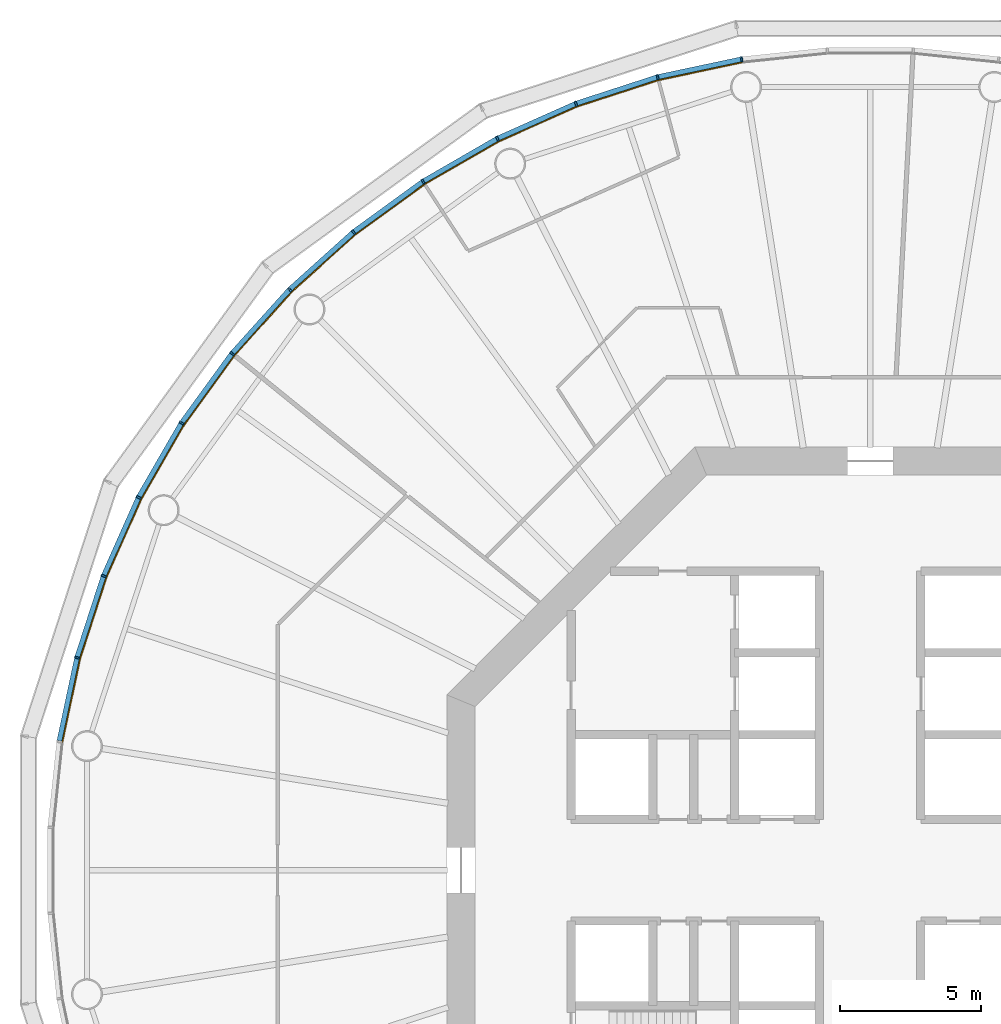
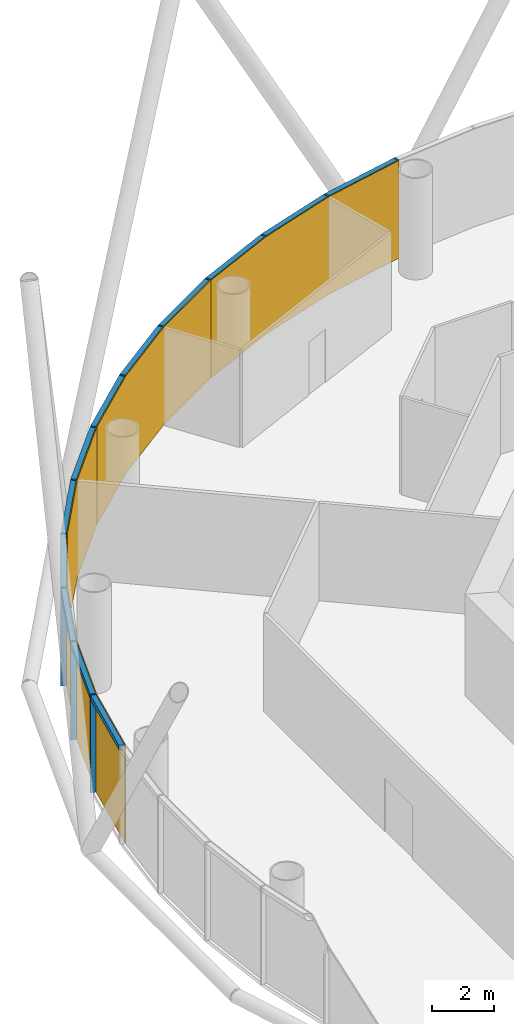
# One storey, part 10 of 13: 24 members, 4 curtain walls.
"""IFC4 building model written with IfcOpenShell, lengths in metres."""

from ifc_helpers import new_model, si_unit, direction, frame, origin, origin_2d, place, context, subcontext, project, spatial, polyline, rectangle, outline, extrude, material, layer, layer_set, material_profile, profile_set, type_object, element, aggregate, save


model = new_model("IFC4")

# Units and contexts
model_context = context("Model", 3, precision=1e-05, world=origin(), true_north=direction((0.0, 1.0)))
body_context = subcontext(model_context, "Body", "Model", "MODEL_VIEW")
ifc_project = project(units=[si_unit("LENGTHUNIT", "METRE"), si_unit("AREAUNIT", "SQUARE_METRE"), si_unit("VOLUMEUNIT", "CUBIC_METRE"), si_unit("PLANEANGLEUNIT", "RADIAN"), si_unit("MASSUNIT", "GRAM", prefix="KILO")], contexts=[model_context])

# Member
ifc_material_1 = material(Name="Anodised aluminium", Category="aluminium")
ifc_material_profile_1 = material_profile(ifc_material_1, rectangle(XDim=0.06494140625, YDim=0.18505859375, at=origin_2d()), Name="Mullion 65 x 185 mm anodised aluminium")
ifc_profile_set_1 = profile_set([ifc_material_profile_1], Name="Anodised aluminium")
member_type_1 = type_object("IfcMemberType", Name="Mullion 65 x 185 mm anodised aluminium", PredefinedType="MULLION", material=ifc_profile_set_1)
site_placement = place(None, origin())
building_placement = place(site_placement, origin())
storey_placement = place(building_placement, frame((0.0, 0.0, 164.0)))
member_1_placement = place(storey_placement, frame((85.448974609375, 108.734375, 0.0), z_axis=(0.0, 0.0, 1.0), x_axis=(-0.987688340595, -0.15643446504, 0.0)))
member_1 = element("IfcMember", 1, at=member_1_placement, type_object=member_type_1, Name="MULLION L37-15", PredefinedType="MULLION", context=body_context, shape_type="SweptSolid", body=[
    extrude(rectangle(XDim=0.06494140625, YDim=0.18505859375, at=origin_2d()), origin(), (0.0, 0.0, 1.0), 3.85009765625),
])

member_2_placement = place(storey_placement, frame((82.47021484375, 108.101318359375, 0.0), z_axis=(0.0, 0.0, 1.0), x_axis=(-0.965925826289, -0.258819045103, 0.0)))
member_2 = element("IfcMember", 2, at=member_2_placement, type_object=member_type_1, Name="MULLION L37-16", PredefinedType="MULLION", context=body_context, shape_type="SweptSolid", body=[
    extrude(rectangle(XDim=0.06494140625, YDim=0.18505859375, at=origin_2d()), origin(), (0.0, 0.0, 1.0), 3.85009765625),
])

member_3_placement = place(storey_placement, frame((79.57421875, 107.16015625, 0.0), z_axis=(0.0, 0.0, 1.0), x_axis=(-0.933580426497, -0.358367949545, 0.0)))
member_3 = element("IfcMember", 3, at=member_3_placement, type_object=member_type_1, Name="MULLION L37-17", PredefinedType="MULLION", context=body_context, shape_type="SweptSolid", body=[
    extrude(rectangle(XDim=0.06494140625, YDim=0.18505859375, at=origin_2d()), origin(), (0.0, 0.0, 1.0), 3.85009765625),
])

member_4_placement = place(storey_placement, frame((76.792236328125, 105.921630859375, 0.0), z_axis=(0.0, 0.0, 1.0), x_axis=(-0.891006524188, -0.45399049974, 0.0)))
member_4 = element("IfcMember", 4, at=member_4_placement, type_object=member_type_1, Name="MULLION L37-18", PredefinedType="MULLION", context=body_context, shape_type="SweptSolid", body=[
    extrude(rectangle(XDim=0.06494140625, YDim=0.18505859375, at=origin_2d()), origin(), (0.0, 0.0, 1.0), 3.85009765625),
])

member_5_placement = place(storey_placement, frame((74.155029296875, 104.39892578125, 0.0), z_axis=(0.0, 0.0, 1.0), x_axis=(-0.838670567945, -0.544639035015, 0.0)))
member_5 = element("IfcMember", 5, at=member_5_placement, type_object=member_type_1, Name="MULLION L37-19", PredefinedType="MULLION", context=body_context, shape_type="SweptSolid", body=[
    extrude(rectangle(XDim=0.06494140625, YDim=0.18505859375, at=origin_2d()), origin(), (0.0, 0.0, 1.0), 3.85009765625),
])

member_6_placement = place(storey_placement, frame((71.69140625, 102.609130859375, 0.0), z_axis=(0.0, 0.0, 1.0), x_axis=(-0.777145961457, -0.62932039105, 0.0)))
member_6 = element("IfcMember", 6, at=member_6_placement, type_object=member_type_1, Name="MULLION L37-20", PredefinedType="MULLION", context=body_context, shape_type="SweptSolid", body=[
    extrude(rectangle(XDim=0.06494140625, YDim=0.18505859375, at=origin_2d()), origin(), (0.0, 0.0, 1.0), 3.85009765625),
])

member_7_placement = place(storey_placement, frame((69.428466796875, 100.571533203125, 0.0), z_axis=(0.0, 0.0, 1.0), x_axis=(-0.707106781187, -0.707106781187, 0.0)))
member_7 = element("IfcMember", 7, at=member_7_placement, type_object=member_type_1, Name="MULLION L37-21", PredefinedType="MULLION", context=body_context, shape_type="SweptSolid", body=[
    extrude(rectangle(XDim=0.06494140625, YDim=0.18505859375, at=origin_2d()), origin(), (0.0, 0.0, 1.0), 3.85009765625),
])

member_8_placement = place(storey_placement, frame((67.390869140625, 98.30859375, 0.0), z_axis=(0.0, 0.0, 1.0), x_axis=(-0.62932039105, -0.777145961457, 0.0)))
member_8 = element("IfcMember", 8, at=member_8_placement, type_object=member_type_1, Name="MULLION L37-22", PredefinedType="MULLION", context=body_context, shape_type="SweptSolid", body=[
    extrude(rectangle(XDim=0.06494140625, YDim=0.18505859375, at=origin_2d()), origin(), (0.0, 0.0, 1.0), 3.85009765625),
])

member_9_placement = place(storey_placement, frame((65.60107421875, 95.844970703125, 0.0), z_axis=(0.0, 0.0, 1.0), x_axis=(-0.544639035015, -0.838670567945, 0.0)))
member_9 = element("IfcMember", 9, at=member_9_placement, type_object=member_type_1, Name="MULLION L37-23", PredefinedType="MULLION", context=body_context, shape_type="SweptSolid", body=[
    extrude(rectangle(XDim=0.06494140625, YDim=0.18505859375, at=origin_2d()), origin(), (0.0, 0.0, 1.0), 3.85009765625),
])

member_10_placement = place(storey_placement, frame((64.078369140625, 93.207763671875, 0.0), z_axis=(0.0, 0.0, 1.0), x_axis=(-0.45399049974, -0.891006524188, 0.0)))
member_10 = element("IfcMember", 10, at=member_10_placement, type_object=member_type_1, Name="MULLION L37-24", PredefinedType="MULLION", context=body_context, shape_type="SweptSolid", body=[
    extrude(rectangle(XDim=0.06494140625, YDim=0.18505859375, at=origin_2d()), origin(), (0.0, 0.0, 1.0), 3.85009765625),
])

member_11_placement = place(storey_placement, frame((62.83984375, 90.42578125, 0.0), z_axis=(0.0, 0.0, 1.0), x_axis=(-0.358367949545, -0.933580426497, 0.0)))
member_11 = element("IfcMember", 11, at=member_11_placement, type_object=member_type_1, Name="MULLION L37-25", PredefinedType="MULLION", context=body_context, shape_type="SweptSolid", body=[
    extrude(rectangle(XDim=0.06494140625, YDim=0.18505859375, at=origin_2d()), origin(), (0.0, 0.0, 1.0), 3.85009765625),
])

member_12_placement = place(storey_placement, frame((61.898681640625, 87.52978515625, 0.0), z_axis=(0.0, 0.0, 1.0), x_axis=(-0.258819045103, -0.965925826289, 0.0)))
member_12 = element("IfcMember", 12, at=member_12_placement, type_object=member_type_1, Name="MULLION L37-26", PredefinedType="MULLION", context=body_context, shape_type="SweptSolid", body=[
    extrude(rectangle(XDim=0.06494140625, YDim=0.18505859375, at=origin_2d()), origin(), (0.0, 0.0, 1.0), 3.85009765625),
])

ifc_material_2 = material(Name="Anodised aluminium", Category="aluminium")
ifc_material_profile_2 = material_profile(ifc_material_2, rectangle(XDim=0.18505859375, YDim=0.175048828125, at=origin_2d()), Name="Transom 175 x 185 mm anodised aluminium")
ifc_profile_set_2 = profile_set([ifc_material_profile_2], Name="Anodised aluminium")
member_type_2 = type_object("IfcMemberType", Name="Transom 175 x 185 mm anodised aluminium", PredefinedType="USERDEFINED", material=ifc_profile_set_2)
member_13_placement = place(storey_placement, frame((85.412353515625, 108.7265625, 3.762451171875), z_axis=(-0.97815822425, -0.207861704825, 0.0), x_axis=(0.207861704825, -0.97815822425, 0.0)))
member_13 = element("IfcMember", 13, at=member_13_placement, type_object=member_type_2, Name="TRANSOM L37-15", ObjectType="TRANSOM", PredefinedType="USERDEFINED", context=body_context, shape_type="SweptSolid", body=[
    extrude(rectangle(XDim=0.18505859375, YDim=0.175048828125, at=origin_2d()), origin(), (0.0, 0.0, 1.0), 2.970458984375),
])

member_14_placement = place(storey_placement, frame((82.434814453125, 108.08984375, 3.762451171875), z_axis=(-0.951055809184, -0.30901917063, 0.0), x_axis=(0.30901917063, -0.951055809184, 0.0)))
member_14 = element("IfcMember", 14, at=member_14_placement, type_object=member_type_2, Name="TRANSOM L37-16", ObjectType="TRANSOM", PredefinedType="USERDEFINED", context=body_context, shape_type="SweptSolid", body=[
    extrude(rectangle(XDim=0.18505859375, YDim=0.175048828125, at=origin_2d()), origin(), (0.0, 0.0, 1.0), 2.970703125),
])

member_15_placement = place(storey_placement, frame((79.5400390625, 107.14501953125, 3.762451171875), z_axis=(-0.913567348806, -0.406687471156, 0.0), x_axis=(0.406687471156, -0.913567348806, 0.0)))
member_15 = element("IfcMember", 15, at=member_15_placement, type_object=member_type_2, Name="TRANSOM L37-17", ObjectType="TRANSOM", PredefinedType="USERDEFINED", context=body_context, shape_type="SweptSolid", body=[
    extrude(rectangle(XDim=0.18505859375, YDim=0.175048828125, at=origin_2d()), origin(), (0.0, 0.0, 1.0), 2.970458984375),
])

member_16_placement = place(storey_placement, frame((76.759765625, 105.903076171875, 3.762451171875), z_axis=(-0.866009025146, -0.500028367561, 0.0), x_axis=(0.500028367561, -0.866009025146, 0.0)))
member_16 = element("IfcMember", 16, at=member_16_placement, type_object=member_type_2, Name="TRANSOM L37-18", ObjectType="TRANSOM", PredefinedType="USERDEFINED", context=body_context, shape_type="SweptSolid", body=[
    extrude(rectangle(XDim=0.18505859375, YDim=0.175048828125, at=origin_2d()), origin(), (0.0, 0.0, 1.0), 2.970458984375),
])

member_17_placement = place(storey_placement, frame((74.124755859375, 104.377197265625, 3.762451171875), z_axis=(-0.808991906087, -0.587819781808, 0.0), x_axis=(0.587819781808, -0.808991906087, 0.0)))
member_17 = element("IfcMember", 17, at=member_17_placement, type_object=member_type_2, Name="TRANSOM L37-19", ObjectType="TRANSOM", PredefinedType="USERDEFINED", context=body_context, shape_type="SweptSolid", body=[
    extrude(rectangle(XDim=0.18505859375, YDim=0.175048828125, at=origin_2d()), origin(), (0.0, 0.0, 1.0), 2.970458984375),
])

member_18_placement = place(storey_placement, frame((71.66357421875, 102.584228515625, 3.762451171875), z_axis=(-0.743163354343, -0.669110027395, 0.0), x_axis=(0.669110027395, -0.743163354343, 0.0)))
member_18 = element("IfcMember", 18, at=member_18_placement, type_object=member_type_2, Name="TRANSOM L37-20", ObjectType="TRANSOM", PredefinedType="USERDEFINED", context=body_context, shape_type="SweptSolid", body=[
    extrude(rectangle(XDim=0.18505859375, YDim=0.175048828125, at=origin_2d()), origin(), (0.0, 0.0, 1.0), 2.970458984375),
])

member_19_placement = place(storey_placement, frame((69.4033203125, 100.5439453125, 3.762451171875), z_axis=(-0.669110027395, -0.743163354343, 0.0), x_axis=(0.743163354343, -0.669110027395, 0.0)))
member_19 = element("IfcMember", 19, at=member_19_placement, type_object=member_type_2, Name="TRANSOM L37-21", ObjectType="TRANSOM", PredefinedType="USERDEFINED", context=body_context, shape_type="SweptSolid", body=[
    extrude(rectangle(XDim=0.18505859375, YDim=0.175048828125, at=origin_2d()), origin(), (0.0, 0.0, 1.0), 2.970458984375),
])

member_20_placement = place(storey_placement, frame((67.368896484375, 98.2783203125, 3.762451171875), z_axis=(-0.587819781808, -0.808991906087, 0.0), x_axis=(0.808991906087, -0.587819781808, 0.0)))
member_20 = element("IfcMember", 20, at=member_20_placement, type_object=member_type_2, Name="TRANSOM L37-22", ObjectType="TRANSOM", PredefinedType="USERDEFINED", context=body_context, shape_type="SweptSolid", body=[
    extrude(rectangle(XDim=0.18505859375, YDim=0.175048828125, at=origin_2d()), origin(), (0.0, 0.0, 1.0), 2.970458984375),
])

member_21_placement = place(storey_placement, frame((65.582275390625, 95.812744140625, 3.762451171875), z_axis=(-0.500028367561, -0.866009025146, 0.0), x_axis=(0.866009025146, -0.500028367561, 0.0)))
member_21 = element("IfcMember", 21, at=member_21_placement, type_object=member_type_2, Name="TRANSOM L37-23", ObjectType="TRANSOM", PredefinedType="USERDEFINED", context=body_context, shape_type="SweptSolid", body=[
    extrude(rectangle(XDim=0.18505859375, YDim=0.175048828125, at=origin_2d()), origin(), (0.0, 0.0, 1.0), 2.970458984375),
])

member_22_placement = place(storey_placement, frame((64.06298828125, 93.173583984375, 3.762451171875), z_axis=(-0.406687471156, -0.913567348806, 0.0), x_axis=(0.913567348806, -0.406687471156, 0.0)))
member_22 = element("IfcMember", 22, at=member_22_placement, type_object=member_type_2, Name="TRANSOM L37-24", ObjectType="TRANSOM", PredefinedType="USERDEFINED", context=body_context, shape_type="SweptSolid", body=[
    extrude(rectangle(XDim=0.18505859375, YDim=0.175048828125, at=origin_2d()), origin(), (0.0, 0.0, 1.0), 2.970458984375),
])

member_23_placement = place(storey_placement, frame((62.828125, 90.390380859375, 3.762451171875), z_axis=(-0.30901917063, -0.951055809184, 0.0), x_axis=(0.951055809184, -0.30901917063, 0.0)))
member_23 = element("IfcMember", 23, at=member_23_placement, type_object=member_type_2, Name="TRANSOM L37-25", ObjectType="TRANSOM", PredefinedType="USERDEFINED", context=body_context, shape_type="SweptSolid", body=[
    extrude(rectangle(XDim=0.18505859375, YDim=0.175048828125, at=origin_2d()), origin(), (0.0, 0.0, 1.0), 2.970703125),
])

member_24_placement = place(storey_placement, frame((61.890869140625, 87.4931640625, 3.762451171875), z_axis=(-0.207861704825, -0.97815822425, 0.0), x_axis=(0.97815822425, -0.207861704825, 0.0)))
member_24 = element("IfcMember", 24, at=member_24_placement, type_object=member_type_2, Name="TRANSOM L37-26", ObjectType="TRANSOM", PredefinedType="USERDEFINED", context=body_context, shape_type="SweptSolid", body=[
    extrude(rectangle(XDim=0.18505859375, YDim=0.175048828125, at=origin_2d()), origin(), (0.0, 0.0, 1.0), 2.970458984375),
])

# Site, building, storey
site = spatial("IfcSite", under=ifc_project, at=site_placement, CompositionType="ELEMENT")
building = spatial("IfcBuilding", under=site, at=building_placement, Name="Entoto Ring Tower", CompositionType="ELEMENT")
storey = spatial("IfcBuildingStorey", under=building, at=storey_placement, Name="L37", CompositionType="ELEMENT", Elevation=164.0)

# Curtain wall
ifc_material_3 = material(Name="Clear low-iron glass", Category="glass")
ifc_layer = layer(ifc_material_3, 0.033935546875)
ifc_layer_set = layer_set([ifc_layer], Name="Clear low-iron glass")
curtain_wall_type = type_object("IfcCurtainWallType", Name="Curtain wall system CW3 glazing 34 mm", PredefinedType="NOTDEFINED", material=ifc_layer_set)
curtain_wall_1_placement = place(storey_placement, origin())
curtain_wall_1 = element("IfcCurtainWall", 25, at=curtain_wall_1_placement, inside=storey, type_object=curtain_wall_type, Name="CW3 L37-06", PredefinedType="NOTDEFINED", context=body_context, shape_type="SweptSolid", body=[
    extrude(outline(polyline([(85.46337890625, 108.64306640625), (82.494140625, 108.011962890625), (79.607421875, 107.07373046875), (76.834228515625, 105.839111328125), (76.849853515625, 105.808837890625), (79.61962890625, 107.0419921875), (82.503173828125, 107.97900390625), (85.46875, 108.609375), (85.46337890625, 108.64306640625)])), origin(), (0.0, 0.0, 1.0), 3.85009765625),
])

aggregate(curtain_wall_1, [member_1, member_2, member_3, member_13, member_14, member_15])

curtain_wall_2_placement = place(storey_placement, origin())
curtain_wall_2 = element("IfcCurtainWall", 26, at=curtain_wall_2_placement, inside=storey, type_object=curtain_wall_type, Name="CW3 L37-07", PredefinedType="NOTDEFINED", context=body_context, shape_type="SweptSolid", body=[
    extrude(outline(polyline([(76.834228515625, 105.839111328125), (74.20556640625, 104.321533203125), (71.749755859375, 102.537353515625), (69.493896484375, 100.506103515625), (69.51806640625, 100.48193359375), (71.771240234375, 102.5107421875), (74.22412109375, 104.29296875), (76.849853515625, 105.808837890625), (76.834228515625, 105.839111328125)])), origin(), (0.0, 0.0, 1.0), 3.85009765625),
])

aggregate(curtain_wall_2, [member_4, member_5, member_6, member_16, member_17, member_18])

curtain_wall_3_placement = place(storey_placement, origin())
curtain_wall_3 = element("IfcCurtainWall", 27, at=curtain_wall_3_placement, inside=storey, type_object=curtain_wall_type, Name="CW3 L37-08", PredefinedType="NOTDEFINED", context=body_context, shape_type="SweptSolid", body=[
    extrude(outline(polyline([(69.493896484375, 100.506103515625), (67.462646484375, 98.250244140625), (65.678466796875, 95.79443359375), (64.160888671875, 93.165771484375), (64.191162109375, 93.150146484375), (65.70703125, 95.77587890625), (67.4892578125, 98.228759765625), (69.51806640625, 100.48193359375), (69.493896484375, 100.506103515625)])), origin(), (0.0, 0.0, 1.0), 3.85009765625),
])

aggregate(curtain_wall_3, [member_7, member_8, member_9, member_19, member_20, member_21])

curtain_wall_4_placement = place(storey_placement, origin())
curtain_wall_4 = element("IfcCurtainWall", 28, at=curtain_wall_4_placement, inside=storey, type_object=curtain_wall_type, Name="CW3 L37-09", PredefinedType="NOTDEFINED", context=body_context, shape_type="SweptSolid", body=[
    extrude(outline(polyline([(64.160888671875, 93.165771484375), (62.92626953125, 90.392578125), (61.988037109375, 87.505859375), (61.35693359375, 84.53662109375), (61.390625, 84.53125), (62.02099609375, 87.496826171875), (62.9580078125, 90.38037109375), (64.191162109375, 93.150146484375), (64.160888671875, 93.165771484375)])), origin(), (0.0, 0.0, 1.0), 3.85009765625),
])

aggregate(curtain_wall_4, [member_10, member_11, member_12, member_22, member_23, member_24])

save(model, "model.ifc")
